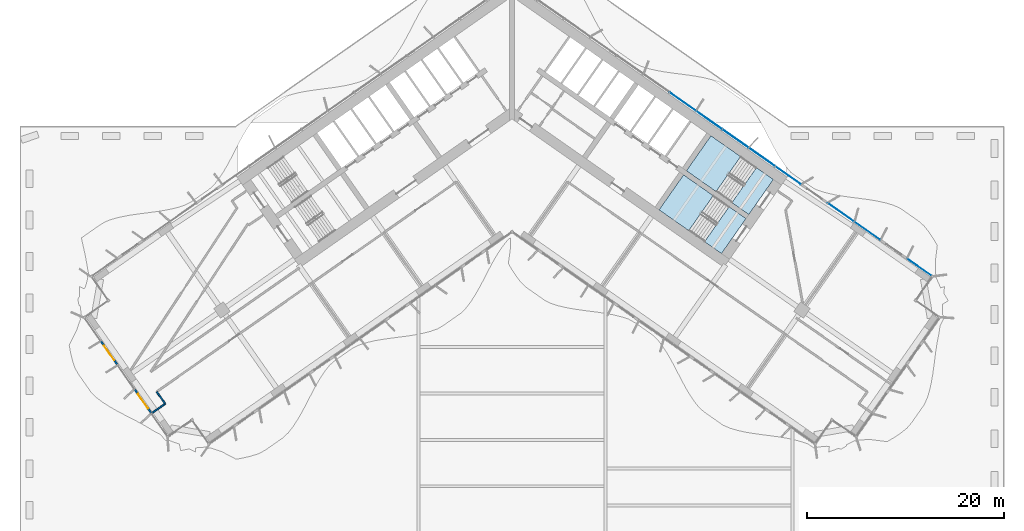
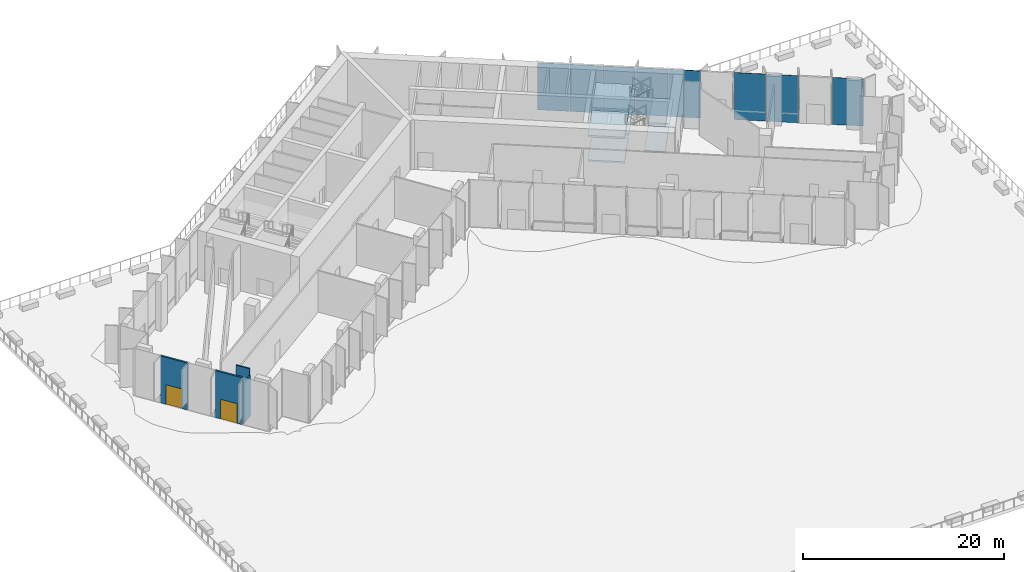
# One storey, part 15 of 27: 8 plates, 6 slabs, 4 walls, 2 doors, 2 openings, 5 elements without a shape of their own.
"""IFC4 building model written with IfcOpenShell, lengths in metres."""

from ifc_helpers import new_model, si_unit, direction, frame, frame_2d, origin, origin_2d, place, context, subcontext, project, spatial, polyline, rectangle, outline, extrude, material, layer, layer_set, type_object, element, fill, aggregate, save


model = new_model("IFC4")

# Units and contexts
model_context = context("Model", 3, precision=1e-05, world=origin(), true_north=direction((0.0, 1.0)))
body_context = subcontext(model_context, "Body", "Model", "MODEL_VIEW")
ifc_project = project(units=[si_unit("LENGTHUNIT", "METRE"), si_unit("AREAUNIT", "SQUARE_METRE"), si_unit("VOLUMEUNIT", "CUBIC_METRE"), si_unit("PLANEANGLEUNIT", "RADIAN"), si_unit("MASSUNIT", "GRAM", prefix="KILO")], contexts=[model_context])

# Site, building, storey
site_placement = place(None, origin())
site = spatial("IfcSite", under=ifc_project, at=site_placement, CompositionType="ELEMENT")
building_placement = place(site_placement, origin())
building = spatial("IfcBuilding", under=site, at=building_placement, Name="Tel Ilan Convention Tower", CompositionType="ELEMENT")
storey_placement = place(building_placement, frame((0.0, 0.0, 48.5)))
storey = spatial("IfcBuildingStorey", under=building, at=storey_placement, Name="L07", CompositionType="ELEMENT", Elevation=48.5)

# Curtain wall, plate
ifc_material_1 = material(Name="Aluminium, bronze anodised", Category="aluminium")
curtain_wall_type_1 = type_object("IfcCurtainWallType", Name="CW1 UNITISED CURTAIN WALL, HOTEL TINTED GLASS", PredefinedType="NOTDEFINED", material=ifc_material_1)
curtain_wall_1_placement = place(storey_placement, origin())
curtain_wall_1 = element("IfcCurtainWall", 1, at=curtain_wall_1_placement, inside=storey, type_object=curtain_wall_type_1, Name="Curtain wall CW1-10.20", PredefinedType="NOTDEFINED")
ifc_material_2 = material(Name="Glass, bronze tinted, two-ply unitised", Category="glass")
ifc_layer_1 = layer(ifc_material_2, 0.028076171875)
ifc_layer_set_1 = layer_set([ifc_layer_1], Name="CW HOTEL GLASS PANEL 28")
plate_type_1 = type_object("IfcPlateType", Name="CW HOTEL GLASS PANEL 28", PredefinedType="CURTAIN_PANEL", material=ifc_layer_set_1)
plate_1_placement = place(storey_placement, frame((41.448486328125, -16.326416015625, 0.0), z_axis=(0.0, 0.0, 1.0), x_axis=(-0.819152044289, 0.573576436351, 0.0)))
plate_1 = element("IfcPlate", 2, at=plate_1_placement, type_object=plate_type_1, Name="Glass panel", PredefinedType="CURTAIN_PANEL", context=body_context, shape_type="SweptSolid", body=[
    extrude(rectangle(XDim=3.117919921875, YDim=0.028076171875, at=origin_2d()), origin(), (0.0, 0.0, 1.0), 5.719970703125),
])
aggregate(curtain_wall_1, [plate_1])

# Curtain wall, plates
curtain_wall_2_placement = place(storey_placement, origin())
curtain_wall_2 = element("IfcCurtainWall", 3, at=curtain_wall_2_placement, inside=storey, type_object=curtain_wall_type_1, Name="Curtain wall CW1-10.22", PredefinedType="NOTDEFINED")
plate_2_placement = place(storey_placement, frame((36.12646484375, -12.599853515625, 0.0), z_axis=(0.0, 0.0, 1.0), x_axis=(-0.819152044289, 0.573576436351, 0.0)))
plate_2 = element("IfcPlate", 4, at=plate_2_placement, type_object=plate_type_1, Name="Glass panel", PredefinedType="CURTAIN_PANEL", context=body_context, shape_type="SweptSolid", body=[
    extrude(rectangle(XDim=3.2119140625, YDim=0.028076171875, at=origin_2d()), origin(), (0.0, 0.0, 1.0), 5.719970703125),
])
plate_3_placement = place(storey_placement, frame((33.446044921875, -10.72314453125, 0.0), z_axis=(0.0, 0.0, 1.0), x_axis=(-0.819152044289, 0.573576436351, 0.0)))
plate_3 = element("IfcPlate", 5, at=plate_3_placement, type_object=plate_type_1, Name="Glass panel", PredefinedType="CURTAIN_PANEL", context=body_context, shape_type="SweptSolid", body=[
    extrude(rectangle(XDim=3.2119140625, YDim=0.028076171875, at=origin_2d()), origin(), (0.0, 0.0, 1.0), 5.719970703125),
])
aggregate(curtain_wall_2, [plate_2, plate_3])

ifc_material_3 = material(Name="Aluminium, bronze anodised", Category="aluminium")
curtain_wall_type_2 = type_object("IfcCurtainWallType", Name="CW2 STICK CURTAIN WALL, SPANDREL PANELS", PredefinedType="NOTDEFINED", material=ifc_material_3)
curtain_wall_3_placement = place(storey_placement, origin())
curtain_wall_3 = element("IfcCurtainWall", 6, at=curtain_wall_3_placement, inside=storey, type_object=curtain_wall_type_2, Name="Curtain wall CW2-10.24", PredefinedType="NOTDEFINED")
ifc_material_4 = material(Name="Aluminium composite panel, bronze anodised", Category="aluminium")
ifc_layer_2 = layer(ifc_material_4, 0.06005859375)
ifc_layer_set_2 = layer_set([ifc_layer_2], Name="CW SPANDREL PANEL 60")
plate_type_2 = type_object("IfcPlateType", Name="CW SPANDREL PANEL 60", PredefinedType="CURTAIN_PANEL", material=ifc_layer_set_2)
plate_4_placement = place(storey_placement, frame((28.08544921875, -6.9697265625, 0.0), z_axis=(0.0, 0.0, 1.0), x_axis=(-0.819152044289, 0.573576436351, 0.0)))
plate_4 = element("IfcPlate", 7, at=plate_4_placement, type_object=plate_type_2, Name="Spandrel panel", PredefinedType="CURTAIN_PANEL", context=body_context, shape_type="SweptSolid", body=[
    extrude(rectangle(XDim=3.2119140625, YDim=0.06005859375, at=origin_2d()), origin(), (0.0, 0.0, 1.0), 5.719970703125),
])
plate_5_placement = place(storey_placement, frame((25.4052734375, -5.0927734375, 0.0), z_axis=(0.0, 0.0, 1.0), x_axis=(-0.819152044289, 0.573576436351, 0.0)))
plate_5 = element("IfcPlate", 8, at=plate_5_placement, type_object=plate_type_2, Name="Spandrel panel", PredefinedType="CURTAIN_PANEL", context=body_context, shape_type="SweptSolid", body=[
    extrude(rectangle(XDim=3.2119140625, YDim=0.06005859375, at=origin_2d()), origin(), (0.0, 0.0, 1.0), 5.719970703125),
])
plate_6_placement = place(storey_placement, frame((22.72509765625, -3.216064453125, 0.0), z_axis=(0.0, 0.0, 1.0), x_axis=(-0.819152044289, 0.573576436351, 0.0)))
plate_6 = element("IfcPlate", 9, at=plate_6_placement, type_object=plate_type_2, Name="Spandrel panel", PredefinedType="CURTAIN_PANEL", context=body_context, shape_type="SweptSolid", body=[
    extrude(rectangle(XDim=3.2119140625, YDim=0.06005859375, at=origin_2d()), origin(), (0.0, 0.0, 1.0), 5.719970703125),
])
plate_7_placement = place(storey_placement, frame((20.044677734375, -1.33935546875, 0.0), z_axis=(0.0, 0.0, 1.0), x_axis=(-0.819152044289, 0.573576436351, 0.0)))
plate_7 = element("IfcPlate", 10, at=plate_7_placement, type_object=plate_type_2, Name="Spandrel panel", PredefinedType="CURTAIN_PANEL", context=body_context, shape_type="SweptSolid", body=[
    extrude(rectangle(XDim=3.2119140625, YDim=0.06005859375, at=origin_2d()), origin(), (0.0, 0.0, 1.0), 5.719970703125),
])
plate_8_placement = place(storey_placement, frame((17.364501953125, 0.537353515625, 0.0), z_axis=(0.0, 0.0, 1.0), x_axis=(-0.819152044289, 0.573576436351, 0.0)))
plate_8 = element("IfcPlate", 11, at=plate_8_placement, type_object=plate_type_2, Name="Spandrel panel", PredefinedType="CURTAIN_PANEL", context=body_context, shape_type="SweptSolid", body=[
    extrude(rectangle(XDim=3.2119140625, YDim=0.06005859375, at=origin_2d()), origin(), (0.0, 0.0, 1.0), 5.719970703125),
])
aggregate(curtain_wall_3, [plate_4, plate_5, plate_6, plate_7, plate_8])

# Stair, slabs
ifc_material_5 = material(Name="Concrete C40/50", Category="concrete")
stair_type = type_object("IfcStairType", Name="Pressurised Exit Stair 32 risers 188 mm", PredefinedType="HALF_TURN_STAIR", material=ifc_material_5)
stair_1_placement = place(storey_placement, origin())
stair_1 = element("IfcStair", 12, at=stair_1_placement, inside=storey, type_object=stair_type, Name="L07 Pressurised Stair S3", PredefinedType="HALF_TURN_STAIR")
ifc_material_6 = material(Name="Concrete C40/50", Category="concrete")
ifc_layer_3 = layer(ifc_material_6, 0.199951171875)
ifc_layer_set_3 = layer_set([ifc_layer_3], Name="Concrete Stair Landing 200 mm C40/50")
slab_type = type_object("IfcSlabType", Name="Concrete Stair Landing 200 mm", PredefinedType="LANDING", material=ifc_layer_set_3)
slab_1_placement = place(storey_placement, frame((0.0, 0.0, 1.300048828125)))
slab_1 = element("IfcSlab", 13, at=slab_1_placement, type_object=slab_type, Name="S3 landing 1", PredefinedType="LANDING", context=body_context, shape_type="SweptSolid", body=[
    extrude(outline(polyline([(23.249755859375, -5.048583984375), (20.226318359375, -2.931640625), (17.7314453125, -6.494873046875), (20.754638671875, -8.61181640625), (23.249755859375, -5.048583984375)])), origin(), (0.0, 0.0, 1.0), 0.199951171875),
])
slab_2_placement = place(storey_placement, frame((0.0, 0.0, 2.800048828125)))
slab_2 = element("IfcSlab", 14, at=slab_2_placement, type_object=slab_type, Name="S3 landing 2", PredefinedType="LANDING", context=body_context, shape_type="SweptSolid", body=[
    extrude(outline(polyline([(26.574951171875, -7.376708984375), (24.85400390625, -6.171875), (22.35888671875, -9.735107421875), (24.079833984375, -10.940185546875), (26.574951171875, -7.376708984375)])), origin(), (0.0, 0.0, 1.0), 0.199951171875),
])
slab_3_placement = place(storey_placement, frame((0.0, 0.0, 4.300048828125)))
slab_3 = element("IfcSlab", 15, at=slab_3_placement, type_object=slab_type, Name="S3 landing 3", PredefinedType="LANDING", context=body_context, shape_type="SweptSolid", body=[
    extrude(outline(polyline([(23.249755859375, -5.048583984375), (20.226318359375, -2.931640625), (17.7314453125, -6.494873046875), (20.754638671875, -8.61181640625), (23.249755859375, -5.048583984375)])), origin(), (0.0, 0.0, 1.0), 0.199951171875),
])
aggregate(stair_1, [slab_1, slab_2, slab_3])

stair_2_placement = place(storey_placement, origin())
stair_2 = element("IfcStair", 16, at=stair_2_placement, inside=storey, type_object=stair_type, Name="L07 Pressurised Stair S4", PredefinedType="HALF_TURN_STAIR")
slab_4_placement = place(storey_placement, frame((0.0, 0.0, 1.300048828125)))
slab_4 = element("IfcSlab", 17, at=slab_4_placement, type_object=slab_type, Name="S4 landing 1", PredefinedType="LANDING", context=body_context, shape_type="SweptSolid", body=[
    extrude(outline(polyline([(20.468017578125, -9.021484375), (17.444580078125, -6.904541015625), (14.949462890625, -10.4677734375), (17.972900390625, -12.584716796875), (20.468017578125, -9.021484375)])), origin(), (0.0, 0.0, 1.0), 0.199951171875),
])
slab_5_placement = place(storey_placement, frame((0.0, 0.0, 2.800048828125)))
slab_5 = element("IfcSlab", 18, at=slab_5_placement, type_object=slab_type, Name="S4 landing 2", PredefinedType="LANDING", context=body_context, shape_type="SweptSolid", body=[
    extrude(outline(polyline([(23.79296875, -11.349609375), (22.072021484375, -10.144775390625), (19.5771484375, -13.7080078125), (21.2978515625, -14.9130859375), (23.79296875, -11.349609375)])), origin(), (0.0, 0.0, 1.0), 0.199951171875),
])
slab_6_placement = place(storey_placement, frame((0.0, 0.0, 4.300048828125)))
slab_6 = element("IfcSlab", 19, at=slab_6_placement, type_object=slab_type, Name="S4 landing 3", PredefinedType="LANDING", context=body_context, shape_type="SweptSolid", body=[
    extrude(outline(polyline([(20.468017578125, -9.021484375), (17.444580078125, -6.904541015625), (14.949462890625, -10.4677734375), (17.972900390625, -12.584716796875), (20.468017578125, -9.021484375)])), origin(), (0.0, 0.0, 1.0), 0.199951171875),
])
aggregate(stair_2, [slab_4, slab_5, slab_6])

# Walls
ifc_material_7 = material(Name="Plasterboard on Steel Studs", Category="steel")
ifc_layer_4 = layer(ifc_material_7, 0.14990234375)
ifc_layer_set_4 = layer_set([ifc_layer_4], Name="Fire-rated Partition 150 EI 60")
wall_type_1 = type_object("IfcWallType", Name="Fire-rated Partition 150 EI 60", PredefinedType="PARTITIONING", material=ifc_layer_set_4)
wall_1_placement = place(storey_placement, frame((-35.263916015625, -30.185302734375, 0.0), z_axis=(0.0, 0.0, 1.0), x_axis=(-0.819131543282, -0.57360571371, 0.0)))
element("IfcWall", 20, at=wall_1_placement, inside=storey, type_object=wall_type_1, Name="Partition 009", PredefinedType="PARTITIONING", context=body_context, shape_type="SweptSolid", body=[
    extrude(rectangle(XDim=1.599853515625, YDim=0.14990234375, at=frame_2d((0.7998046875, 0.0))), origin(), (0.0, 0.0, 1.0), 4.89990234375),
])
wall_2_placement = place(storey_placement, frame((-36.1240234375, -28.956787109375, 0.0), z_axis=(0.0, 0.0, 1.0), x_axis=(0.573527897688, -0.819186029284, 0.0)))
element("IfcWall", 21, at=wall_2_placement, inside=storey, type_object=wall_type_1, Name="Partition 011", PredefinedType="PARTITIONING", context=body_context, shape_type="SweptSolid", body=[
    extrude(rectangle(XDim=1.499755859375, YDim=0.14990234375, at=frame_2d((0.75, 0.0))), origin(), (0.0, 0.0, 1.0), 5.719970703125),
])

# Wall, opening, door
ifc_material_8 = material(Name="Aluminium composite cladding, bronze anodised on steel studs", Category="steel")
ifc_layer_5 = layer(ifc_material_8, 0.199951171875)
ifc_layer_set_5 = layer_set([ifc_layer_5], Name="TERRACE DOOR BAY WALL 200")
wall_type_2 = type_object("IfcWallType", Name="TERRACE DOOR BAY WALL 200", PredefinedType="SOLIDWALL", material=ifc_layer_set_5)
wall_3_placement = place(storey_placement, frame((-41.80126953125, -23.812744140625, 0.0), z_axis=(0.0, 0.0, 1.0), x_axis=(0.573584953252, -0.819146080625, 0.0)))
wall_3 = element("IfcWall", 22, at=wall_3_placement, inside=storey, type_object=wall_type_2, Name="Terrace door bay", PredefinedType="SOLIDWALL", context=body_context, shape_type="SweptSolid", body=[
    extrude(rectangle(XDim=2.93994140625, YDim=0.199951171875, at=frame_2d((1.469970703125, 0.0))), origin(), (0.0, 0.0, 1.0), 5.719970703125),
])
opening_1_placement = place(wall_3_placement, frame((0.570068359375, 0.0, 0.0)))
opening_1 = element("IfcOpeningElement", 23, at=opening_1_placement, cuts=wall_3, Name="Opening T07.15", PredefinedType="OPENING", context=body_context, shape_type="SweptSolid", body=[
    extrude(rectangle(XDim=1.800048828125, YDim=2.39990234375, at=frame_2d((0.89990234375, 1.199951171875))), frame((0.0, 0.10986328125, 0.0), z_axis=(0.0, -1.0, 0.0), x_axis=(1.0, 0.0, 0.0)), (0.0, 0.0, 1.0), 0.219970703125),
])
ifc_material_9 = material(Name="Aluminium framed glazed door, bronze anodised", Category="aluminium")
door_type = type_object("IfcDoorType", Name="TERRACE DOUBLE DOOR 1800x2400", OperationType="NOTDEFINED", PredefinedType="DOOR", material=ifc_material_9)
door_1_placement = place(opening_1_placement, origin())
door_1 = element("IfcDoor", 24, at=door_1_placement, inside=storey, type_object=door_type, Name="Terrace door", OperationType="DOUBLE_DOOR_DOUBLE_SWING", OverallHeight=2.39990234375, OverallWidth=1.800048828125, PredefinedType="DOOR", context=body_context, shape_type="SweptSolid", body=[
    extrude(rectangle(XDim=1.800048828125, YDim=2.39990234375, at=frame_2d((0.89990234375, 1.199951171875))), frame((0.0, 0.02490234375, 0.0), z_axis=(0.0, -1.0, 0.0), x_axis=(1.0, 0.0, 0.0)), (0.0, 0.0, 1.0), 0.050048828125),
])
fill(opening_1, door_1)

wall_4_placement = place(storey_placement, frame((-38.35986328125, -28.7275390625, 0.0), z_axis=(0.0, 0.0, 1.0), x_axis=(0.57354593704, -0.81917339929, 0.0)))
wall_4 = element("IfcWall", 25, at=wall_4_placement, inside=storey, type_object=wall_type_2, Name="Terrace door bay", PredefinedType="SOLIDWALL", context=body_context, shape_type="SweptSolid", body=[
    extrude(rectangle(XDim=2.940185546875, YDim=0.199951171875, at=frame_2d((1.47021484375, 0.0))), origin(), (0.0, 0.0, 1.0), 5.719970703125),
])
opening_2_placement = place(wall_4_placement, frame((0.570068359375, 0.0, 0.0)))
opening_2 = element("IfcOpeningElement", 26, at=opening_2_placement, cuts=wall_4, Name="Opening T07.16", PredefinedType="OPENING", context=body_context, shape_type="SweptSolid", body=[
    extrude(rectangle(XDim=1.800048828125, YDim=2.39990234375, at=frame_2d((0.89990234375, 1.199951171875))), frame((0.0, 0.10986328125, 0.0), z_axis=(0.0, -1.0, 0.0), x_axis=(1.0, 0.0, 0.0)), (0.0, 0.0, 1.0), 0.219970703125),
])
door_2_placement = place(opening_2_placement, origin())
door_2 = element("IfcDoor", 27, at=door_2_placement, inside=storey, type_object=door_type, Name="Terrace door", OperationType="DOUBLE_DOOR_DOUBLE_SWING", OverallHeight=2.39990234375, OverallWidth=1.800048828125, PredefinedType="DOOR", context=body_context, shape_type="SweptSolid", body=[
    extrude(rectangle(XDim=1.800048828125, YDim=2.39990234375, at=frame_2d((0.89990234375, 1.199951171875))), frame((0.0, 0.02490234375, 0.0), z_axis=(0.0, -1.0, 0.0), x_axis=(1.0, 0.0, 0.0)), (0.0, 0.0, 1.0), 0.050048828125),
])
fill(opening_2, door_2)

save(model, "model.ifc")
